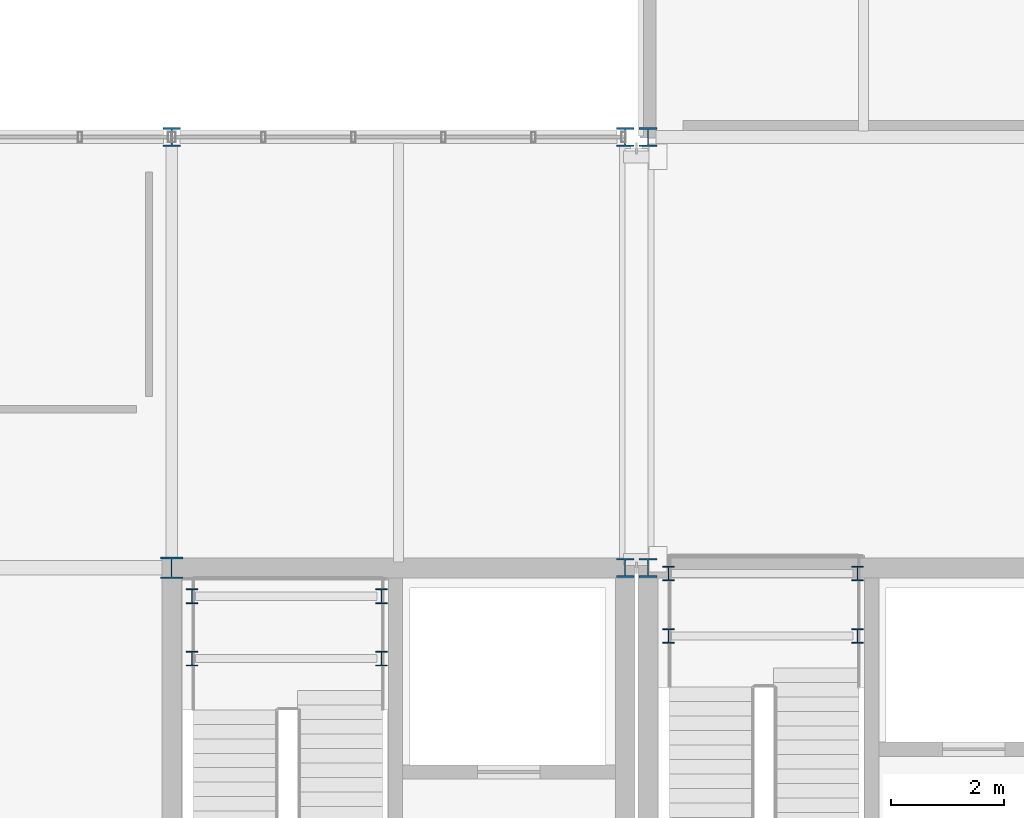
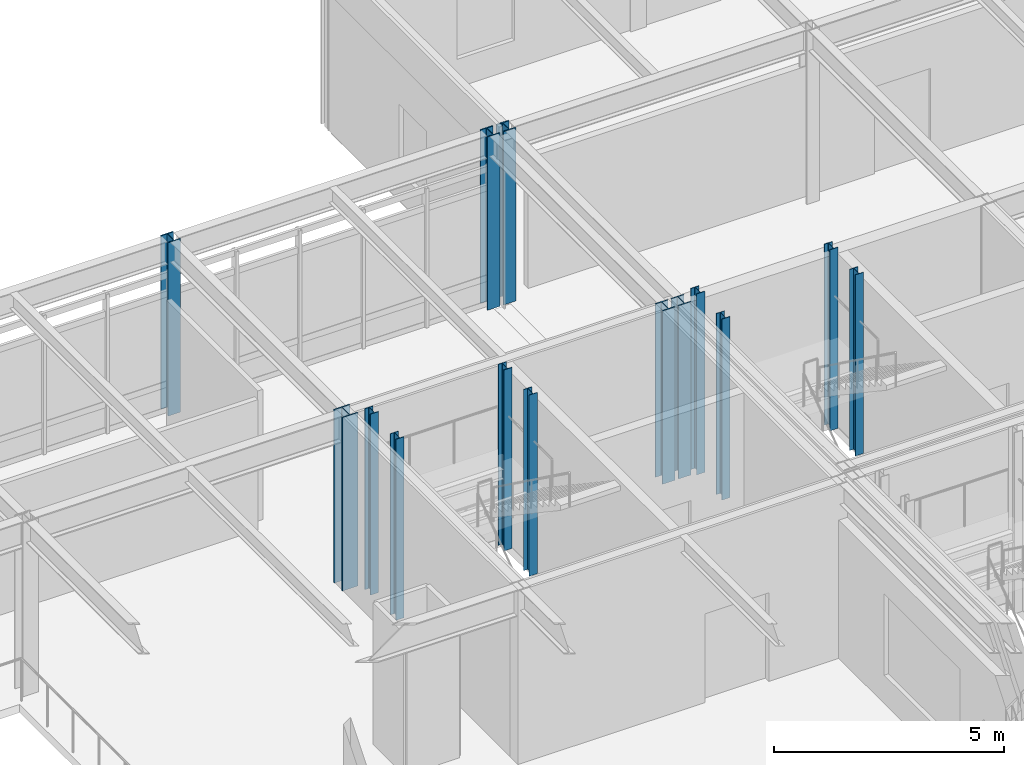
# One storey, part 13 of 104: 14 columns.
"""IFC4 building model written with IfcOpenShell, lengths in metres."""

from ifc_helpers import new_model, si_unit, direction, frame, origin, origin_2d, place, context, subcontext, project, spatial, i_section, extrude, material, material_profile, profile_set, type_object, element, save


model = new_model("IFC4")

# Units and contexts
model_context = context("Model", 3, precision=1e-05, world=origin(), true_north=direction((0.0, 1.0)))
body_context = subcontext(model_context, "Body", "Model", "MODEL_VIEW")
ifc_project = project(units=[si_unit("LENGTHUNIT", "METRE"), si_unit("AREAUNIT", "SQUARE_METRE"), si_unit("VOLUMEUNIT", "CUBIC_METRE"), si_unit("PLANEANGLEUNIT", "RADIAN"), si_unit("MASSUNIT", "GRAM", prefix="KILO")], contexts=[model_context])

# Site, building, storey
site_placement = place(None, origin())
site = spatial("IfcSite", under=ifc_project, at=site_placement, CompositionType="ELEMENT")
building_placement = place(site_placement, origin())
building = spatial("IfcBuilding", under=site, at=building_placement, Name="Zulena Civic Courthouse", CompositionType="ELEMENT")
storey_placement = place(building_placement, frame((0.0, 0.0, 10.800048828125)))
storey = spatial("IfcBuildingStorey", under=building, at=storey_placement, Name="L02", CompositionType="ELEMENT", Elevation=10.800048828125)

# Columns
ifc_material = material(Name="Steel ASTM A992 Grade 50", Category="steel")
ifc_material_profile_1 = material_profile(ifc_material, i_section(OverallWidth=0.2041015625, OverallDepth=0.257080078125, WebThickness=0.0087890625, FlangeThickness=0.015625, FilletRadius=0.0126953125, at=origin_2d()), Name="W10X45")
ifc_profile_set_1 = profile_set([ifc_material_profile_1], Name="Steel ASTM A992 Grade 50")
column_type_1 = type_object("IfcColumnType", Name="Col_W10X45", PredefinedType="COLUMN", material=ifc_profile_set_1)
for number, where, z_axis, x_axis, name in (
    (1, (124.760009765625, 36.800048828125, 0.0), (0.0, 0.0, 1.0), (1.0, 0.0, 0.0), "col:lnd:K3A:L02:0:0"),
    (2, (128.10009765625, 36.800048828125, 0.0), (0.0, 0.0, 1.0), (1.0, 0.0, 0.0), "col:lnd:K3A:L02:0:1"),
    (3, (124.760009765625, 37.89990234375, 0.0), (0.0, 0.0, 1.0), (1.0, 0.0, 0.0), "col:lnd:K3A:L02:1:0"),
    (4, (128.10009765625, 37.89990234375, 0.0), (0.0, 0.0, 1.0), (1.0, 0.0, 0.0), "col:lnd:K3A:L02:1:1"),
    (5, (116.360107421875, 36.39990234375, 0.0), (0.0, 0.0, 1.0), (1.0, 0.0, 0.0), "col:lnd:K4B:L02:0:0"),
    (6, (119.699951171875, 36.39990234375, 0.0), (0.0, 0.0, 1.0), (1.0, 0.0, 0.0), "col:lnd:K4B:L02:0:1"),
    (7, (116.360107421875, 37.5, 0.0), (0.0, 0.0, 1.0), (1.0, 0.0, 0.0), "col:lnd:K4B:L02:1:0"),
    (8, (119.699951171875, 37.5, 0.0), (0.0, 0.0, 1.0), (1.0, 0.0, 0.0), "col:lnd:K4B:L02:1:1"),
):
    element("IfcColumn", number, at=place(storey_placement, frame(where, z_axis=z_axis, x_axis=x_axis)), inside=storey, type_object=column_type_1, Name=name, PredefinedType="COLUMN", context=body_context, shape_type="SweptSolid", body=[
        extrude(i_section(OverallWidth=0.2041015625, OverallDepth=0.257080078125, WebThickness=0.0087890625, FlangeThickness=0.015625, FilletRadius=0.0126953125, at=origin_2d()), origin(), (0.0, 0.0, 1.0), 4.794921875),
    ])
ifc_material_profile_2 = material_profile(ifc_material, i_section(OverallWidth=0.31298828125, OverallDepth=0.3330078125, WebThickness=0.01806640625, FlangeThickness=0.0283203125, FilletRadius=0.01513671875, at=origin_2d()), Name="W12X120")
ifc_profile_set_2 = profile_set([ifc_material_profile_2], Name="Steel ASTM A992 Grade 50")
column_type_2 = type_object("IfcColumnType", Name="Col_W12X120", PredefinedType="COLUMN", material=ifc_profile_set_2)
for number, where, z_axis, x_axis, name in (
    (9, (124.39990234375, 38.0, 0.0), (0.0, 0.0, 1.0), (1.0, 0.0, 0.0), "col:V3:L02:124.4:38.0"),
    (10, (124.39990234375, 45.60009765625, 0.0), (0.0, 0.0, 1.0), (1.0, 0.0, 0.0), "col:V3:L02:124.4:45.6"),
    (11, (116.0, 45.60009765625, 0.0), (0.0, 0.0, 1.0), (1.0, 0.0, 0.0), "col:V4:L02:116.0:45.6"),
    (12, (124.0, 38.0, 0.0), (0.0, 0.0, 1.0), (1.0, 0.0, 0.0), "col:V4:L02:124.0:38.0"),
    (13, (124.0, 45.60009765625, 0.0), (0.0, 0.0, 1.0), (1.0, 0.0, 0.0), "col:V4:L02:124.0:45.6"),
):
    element("IfcColumn", number, at=place(storey_placement, frame(where, z_axis=z_axis, x_axis=x_axis)), inside=storey, type_object=column_type_2, Name=name, PredefinedType="COLUMN", context=body_context, shape_type="SweptSolid", body=[
        extrude(i_section(OverallWidth=0.31298828125, OverallDepth=0.3330078125, WebThickness=0.01806640625, FlangeThickness=0.0283203125, FilletRadius=0.01513671875, at=origin_2d()), origin(), (0.0, 0.0, 1.0), 4.58984375),
    ])
ifc_material_profile_3 = material_profile(ifc_material, i_section(OverallWidth=0.39404296875, OverallDepth=0.3759765625, WebThickness=0.017333984375, FlangeThickness=0.027587890625, FilletRadius=0.01513671875, at=origin_2d()), Name="W14X145")
ifc_profile_set_3 = profile_set([ifc_material_profile_3], Name="Steel ASTM A992 Grade 50")
column_type_3 = type_object("IfcColumnType", Name="Col_W14X145", PredefinedType="COLUMN", material=ifc_profile_set_3)
column_placement = place(storey_placement, frame((116.0, 38.0, 0.0), z_axis=(0.0, 0.0, 1.0), x_axis=(1.0, 0.0, 0.0)))
element("IfcColumn", 14, at=column_placement, inside=storey, type_object=column_type_3, Name="col:V4:L02:116.0:38.0", PredefinedType="COLUMN", context=body_context, shape_type="SweptSolid", body=[
    extrude(i_section(OverallWidth=0.39404296875, OverallDepth=0.3759765625, WebThickness=0.017333984375, FlangeThickness=0.027587890625, FilletRadius=0.01513671875, at=origin_2d()), origin(), (0.0, 0.0, 1.0), 4.58984375),
])

save(model, "model.ifc")
